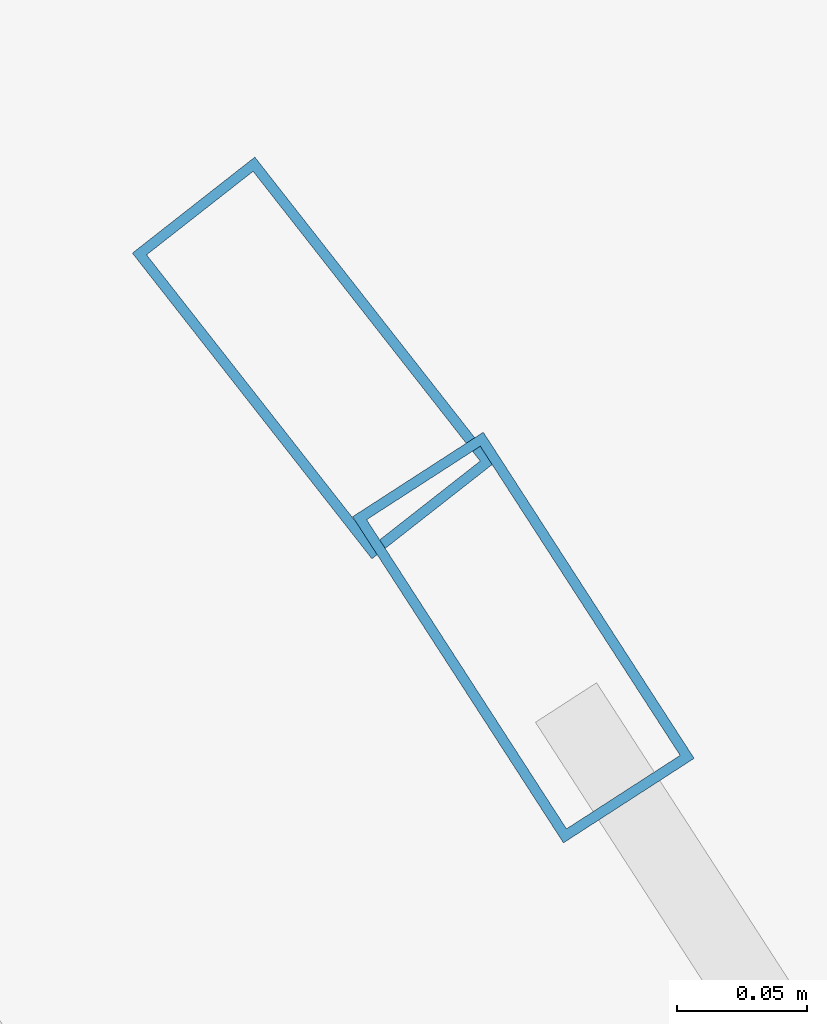
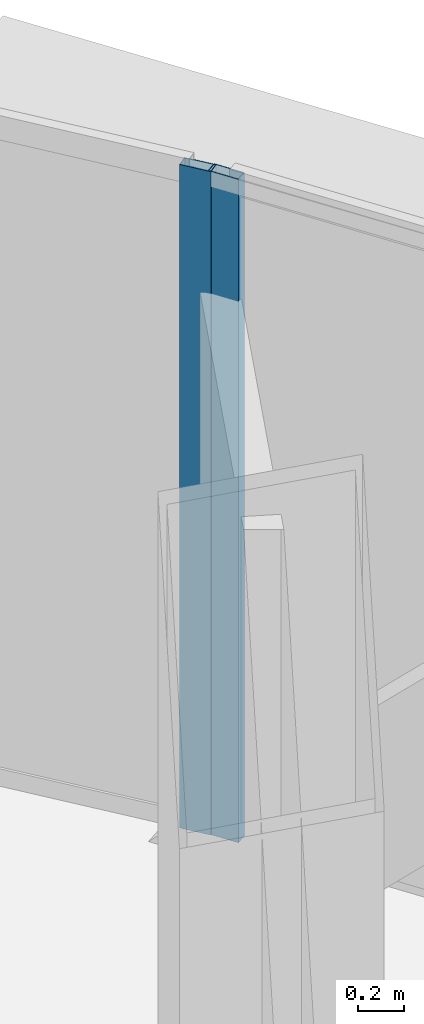
# One storey, part 22 of 37: 2 members, 2 elements without a shape of their own.
"""IFC4 building model written with IfcOpenShell, lengths in metres."""

from ifc_helpers import new_model, si_unit, direction, frame, origin, origin_2d, place, context, subcontext, project, spatial, hollow_rectangle, extrude, source, transform, mapped, material, layer, layer_set, material_profile, profile_set, type_object, element, aggregate, save


model = new_model("IFC4")

# Units and contexts
model_context = context("Model", 3, precision=1e-05, world=origin(), true_north=direction((0.0, 1.0)))
body_context = subcontext(model_context, "Body", "Model", "MODEL_VIEW")
ifc_project = project(units=[si_unit("LENGTHUNIT", "METRE"), si_unit("AREAUNIT", "SQUARE_METRE"), si_unit("VOLUMEUNIT", "CUBIC_METRE"), si_unit("PLANEANGLEUNIT", "RADIAN"), si_unit("MASSUNIT", "GRAM", prefix="KILO"), si_unit("THERMODYNAMICTEMPERATUREUNIT", "KELVIN"), si_unit("POWERUNIT", "WATT")], contexts=[model_context])

# Site, building, storey
site_placement = place(None, origin())
site = spatial("IfcSite", under=ifc_project, at=site_placement, CompositionType="ELEMENT")
building_placement = place(site_placement, origin())
building = spatial("IfcBuilding", under=site, at=building_placement, Name="Yunzhuo Pagoda Commons", CompositionType="ELEMENT")
storey_placement = place(building_placement, frame((0.0, 0.0, 192.360107421875)))
storey = spatial("IfcBuildingStorey", under=building, at=storey_placement, Name="L48", CompositionType="ELEMENT", Elevation=192.360107421875)

# Curtain wall, member
ifc_material = material(Name="Anodized aluminium 6063-T6", Category="aluminium")
ifc_layer = layer(ifc_material, 0.14990234375)
ifc_layer_set = layer_set([ifc_layer], Name="Anodized aluminium 6063-T6")
curtain_wall_type = type_object("IfcCurtainWallType", Name="CW-MID Mid-Zone Ribbon Curtain Wall", PredefinedType="NOTDEFINED", material=ifc_layer_set)
curtain_wall_1_placement = place(storey_placement, origin())
curtain_wall_1 = element("IfcCurtainWall", 1, at=curtain_wall_1_placement, inside=storey, type_object=curtain_wall_type, Name="L48 curtain wall CW-L48-F2B4", PredefinedType="NOTDEFINED")
ifc_material_profile = material_profile(ifc_material, hollow_rectangle(XDim=0.06005859375, YDim=0.14990234375, WallThickness=0.00390625, at=origin_2d()), Name="Anodized aluminium 6063-T6")
ifc_profile_set = profile_set([ifc_material_profile], Name="Anodized aluminium 6063-T6")
member_type = type_object("IfcMemberType", Name="CW-MID-M Mullion RHS 150x60x4", PredefinedType="MULLION", material=ifc_profile_set)
shared_shape = source(origin(), body_context, "Body", "SweptSolid", [
    extrude(hollow_rectangle(XDim=0.06005859375, YDim=0.14990234375, WallThickness=0.00390625, at=origin_2d()), origin(), (0.0, 0.0, 1.0), 3.539794921875),
])
member_1_placement = place(storey_placement, frame((63.581787109375, 68.635498046875, 0.0), z_axis=(0.0, 0.0, 1.0), x_axis=(-0.839794048542, -0.542905107761, 0.0)))
member_1 = element("IfcMember", 2, at=member_1_placement, type_object=member_type, Name="CW mullion 2", PredefinedType="MULLION", context=body_context, shape_type="MappedRepresentation", body=[
    mapped(shared_shape, transform((0.0, 0.0, 0.0), scale=1.0)),
])
aggregate(curtain_wall_1, [member_1])

curtain_wall_2_placement = place(storey_placement, origin())
curtain_wall_2 = element("IfcCurtainWall", 3, at=curtain_wall_2_placement, inside=storey, type_object=curtain_wall_type, Name="L48 curtain wall CW-L48-F2B5", PredefinedType="NOTDEFINED")
member_2_placement = place(storey_placement, frame((63.500732421875, 68.743408203125, 0.0), z_axis=(0.0, 0.0, 1.0), x_axis=(-0.787049910454, -0.616889324316, 0.0)))
member_2 = element("IfcMember", 4, at=member_2_placement, type_object=member_type, Name="CW mullion 1", PredefinedType="MULLION", context=body_context, shape_type="MappedRepresentation", body=[
    mapped(shared_shape, transform((0.0, 0.0, 0.0), scale=1.0)),
])
aggregate(curtain_wall_2, [member_2])

save(model, "model.ifc")
